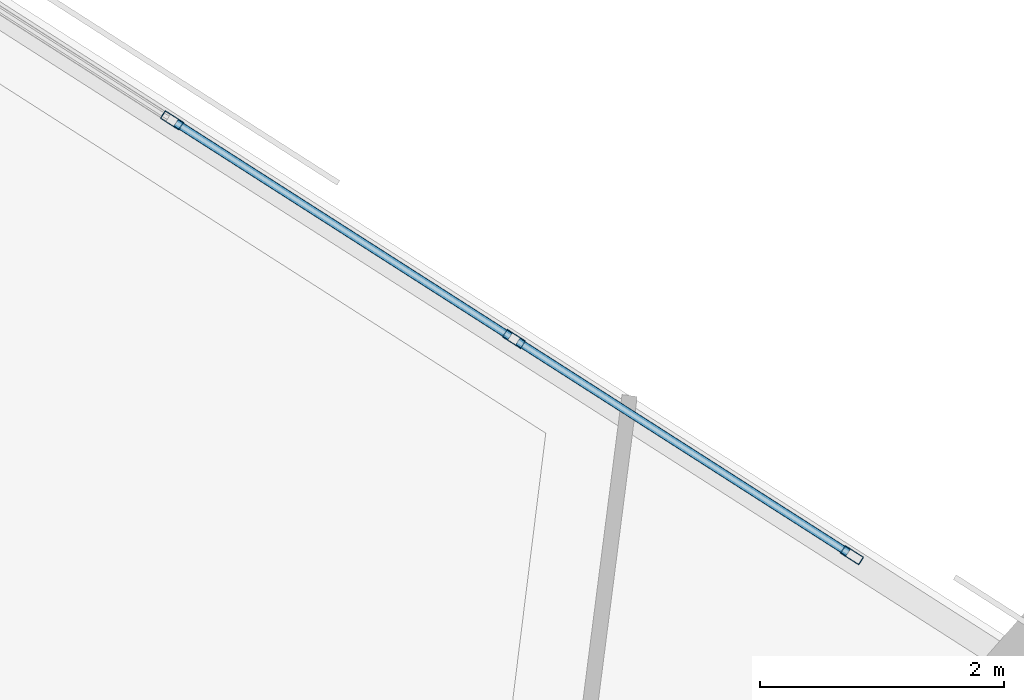
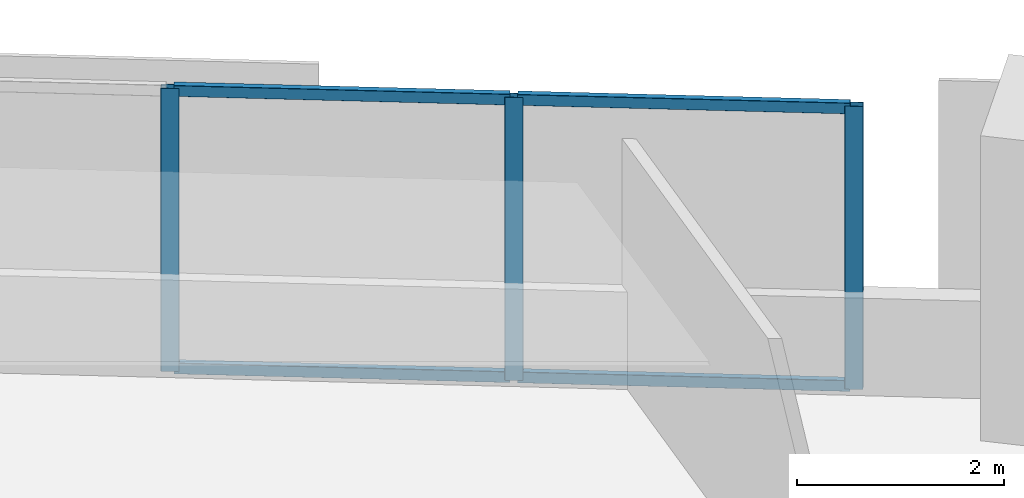
# One storey, part 10 of 16: 7 members, 1 element without a shape of its own.
"""IFC4 building model written with IfcOpenShell, lengths in metres."""

from ifc_helpers import new_model, si_unit, direction, frame, origin, origin_2d, place, context, subcontext, project, spatial, hollow_rectangle, extrude, material, material_profile, profile_set, type_object, element, aggregate, save


model = new_model("IFC4")

# Units and contexts
model_context = context("Model", 3, precision=1e-05, world=origin(), true_north=direction((0.0, 1.0)))
body_context = subcontext(model_context, "Body", "Model", "MODEL_VIEW")
ifc_project = project(units=[si_unit("LENGTHUNIT", "METRE"), si_unit("AREAUNIT", "SQUARE_METRE"), si_unit("VOLUMEUNIT", "CUBIC_METRE"), si_unit("PLANEANGLEUNIT", "RADIAN"), si_unit("MASSUNIT", "GRAM", prefix="KILO")], contexts=[model_context])

# Site, building, storey
site_placement = place(None, origin())
site = spatial("IfcSite", under=ifc_project, at=site_placement, CompositionType="ELEMENT")
building_placement = place(site_placement, origin())
building = spatial("IfcBuilding", under=site, at=building_placement, Name="Narakoshi Arena Tower", CompositionType="ELEMENT")
storey_placement = place(building_placement, frame((0.0, 0.0, 77.699951171875)))
storey = spatial("IfcBuildingStorey", under=building, at=storey_placement, Name="L20", CompositionType="ELEMENT", Elevation=77.699951171875)

# Curtain wall, members
ifc_material = material(Name="Anodised bronze aluminium 6063-T6", Category="aluminium")
curtain_wall_type = type_object("IfcCurtainWallType", Name="CW-HYP-LOW", PredefinedType="NOTDEFINED", material=ifc_material)
curtain_wall_placement = place(storey_placement, origin())
curtain_wall = element("IfcCurtainWall", 1, at=curtain_wall_placement, inside=storey, type_object=curtain_wall_type, Name="L20 Folded Hypotenuse Curtain Wall 2-2", PredefinedType="NOTDEFINED")
ifc_material_profile_1 = material_profile(ifc_material, hollow_rectangle(XDim=0.074951171875, YDim=0.179931640625, WallThickness=0.00390625, OuterFilletRadius=0.0048828125, at=origin_2d()), Name="MUL180x75x4")
ifc_profile_set_1 = profile_set([ifc_material_profile_1], Name="Anodised bronze aluminium 6063-T6")
member_type_1 = type_object("IfcMemberType", Name="MEM-MUL-180", PredefinedType="MULLION", material=ifc_profile_set_1)
member_1_placement = place(storey_placement, frame((83.41943359375, 66.22705078125, 0.0), z_axis=(0.0, 0.0, 1.0), x_axis=(-0.538829098714, -0.842415100992, 0.0)))
member_1 = element("IfcMember", 2, at=member_1_placement, type_object=member_type_1, Name="CW-01 mullion 1", PredefinedType="MULLION", context=body_context, shape_type="SweptSolid", body=[
    extrude(hollow_rectangle(XDim=0.074951171875, YDim=0.179931640625, WallThickness=0.00390625, OuterFilletRadius=0.0048828125, at=origin_2d()), origin(), (0.0, 0.0, 1.0), 3.340087890625),
])
member_2_placement = place(storey_placement, frame((80.6474609375, 68.000244140625, 0.0), z_axis=(0.0, 0.0, 1.0), x_axis=(-0.538829098714, -0.842415100992, 0.0)))
member_2 = element("IfcMember", 3, at=member_2_placement, type_object=member_type_1, Name="CW-01 mullion 2", PredefinedType="MULLION", context=body_context, shape_type="SweptSolid", body=[
    extrude(hollow_rectangle(XDim=0.074951171875, YDim=0.179931640625, WallThickness=0.00390625, OuterFilletRadius=0.0048828125, at=origin_2d()), origin(), (0.0, 0.0, 1.0), 3.340087890625),
])
member_3_placement = place(storey_placement, frame((77.843505859375, 69.79345703125, 0.0), z_axis=(0.0, 0.0, 1.0), x_axis=(-0.538829098714, -0.842415100992, 0.0)))
member_3 = element("IfcMember", 4, at=member_3_placement, type_object=member_type_1, Name="CW-01 mullion 3", PredefinedType="MULLION", context=body_context, shape_type="SweptSolid", body=[
    extrude(hollow_rectangle(XDim=0.074951171875, YDim=0.179931640625, WallThickness=0.00390625, OuterFilletRadius=0.0048828125, at=origin_2d()), origin(), (0.0, 0.0, 1.0), 3.340087890625),
])
ifc_material_profile_2 = material_profile(ifc_material, hollow_rectangle(XDim=0.06494140625, YDim=0.1298828125, WallThickness=0.00390625, OuterFilletRadius=0.0048828125, at=origin_2d()), Name="TRN130x65x4")
ifc_profile_set_2 = profile_set([ifc_material_profile_2], Name="Anodised bronze aluminium 6063-T6")
member_type_2 = type_object("IfcMemberType", Name="MEM-TRN-130", PredefinedType="USERDEFINED", material=ifc_profile_set_2)
member_4_placement = place(storey_placement, frame((83.387939453125, 66.247314453125, 0.032470703125), z_axis=(-0.842424416084, 0.538814535053, 0.0), x_axis=(-0.538814535053, -0.842424416084, 0.0)))
member_4 = element("IfcMember", 5, at=member_4_placement, type_object=member_type_2, Name="CW-01 transom 1.1", ObjectType="TRANSOM", PredefinedType="USERDEFINED", context=body_context, shape_type="SweptSolid", body=[
    extrude(hollow_rectangle(XDim=0.06494140625, YDim=0.1298828125, WallThickness=0.00390625, OuterFilletRadius=0.0048828125, at=origin_2d()), origin(), (0.0, 0.0, 1.0), 3.2158203125),
])
member_5_placement = place(storey_placement, frame((83.387939453125, 66.247314453125, 3.3076171875), z_axis=(-0.842424416084, 0.538814535053, 0.0), x_axis=(-0.538814535053, -0.842424416084, 0.0)))
member_5 = element("IfcMember", 6, at=member_5_placement, type_object=member_type_2, Name="CW-01 transom 1.2", ObjectType="TRANSOM", PredefinedType="USERDEFINED", context=body_context, shape_type="SweptSolid", body=[
    extrude(hollow_rectangle(XDim=0.06494140625, YDim=0.1298828125, WallThickness=0.00390625, OuterFilletRadius=0.0048828125, at=origin_2d()), origin(), (0.0, 0.0, 1.0), 3.2158203125),
])
member_6_placement = place(storey_placement, frame((80.61572265625, 68.020263671875, 0.032470703125), z_axis=(-0.842407668774, 0.5388407182, 0.0), x_axis=(-0.5388407182, -0.842407668774, 0.0)))
member_6 = element("IfcMember", 7, at=member_6_placement, type_object=member_type_2, Name="CW-01 transom 2.1", ObjectType="TRANSOM", PredefinedType="USERDEFINED", context=body_context, shape_type="SweptSolid", body=[
    extrude(hollow_rectangle(XDim=0.06494140625, YDim=0.1298828125, WallThickness=0.00390625, OuterFilletRadius=0.0048828125, at=origin_2d()), origin(), (0.0, 0.0, 1.0), 3.253173828125),
])
member_7_placement = place(storey_placement, frame((80.61572265625, 68.020263671875, 3.3076171875), z_axis=(-0.842407668774, 0.5388407182, 0.0), x_axis=(-0.5388407182, -0.842407668774, 0.0)))
member_7 = element("IfcMember", 8, at=member_7_placement, type_object=member_type_2, Name="CW-01 transom 2.2", ObjectType="TRANSOM", PredefinedType="USERDEFINED", context=body_context, shape_type="SweptSolid", body=[
    extrude(hollow_rectangle(XDim=0.06494140625, YDim=0.1298828125, WallThickness=0.00390625, OuterFilletRadius=0.0048828125, at=origin_2d()), origin(), (0.0, 0.0, 1.0), 3.253173828125),
])
aggregate(curtain_wall, [member_1, member_2, member_3, member_4, member_5, member_6, member_7])

save(model, "model.ifc")
